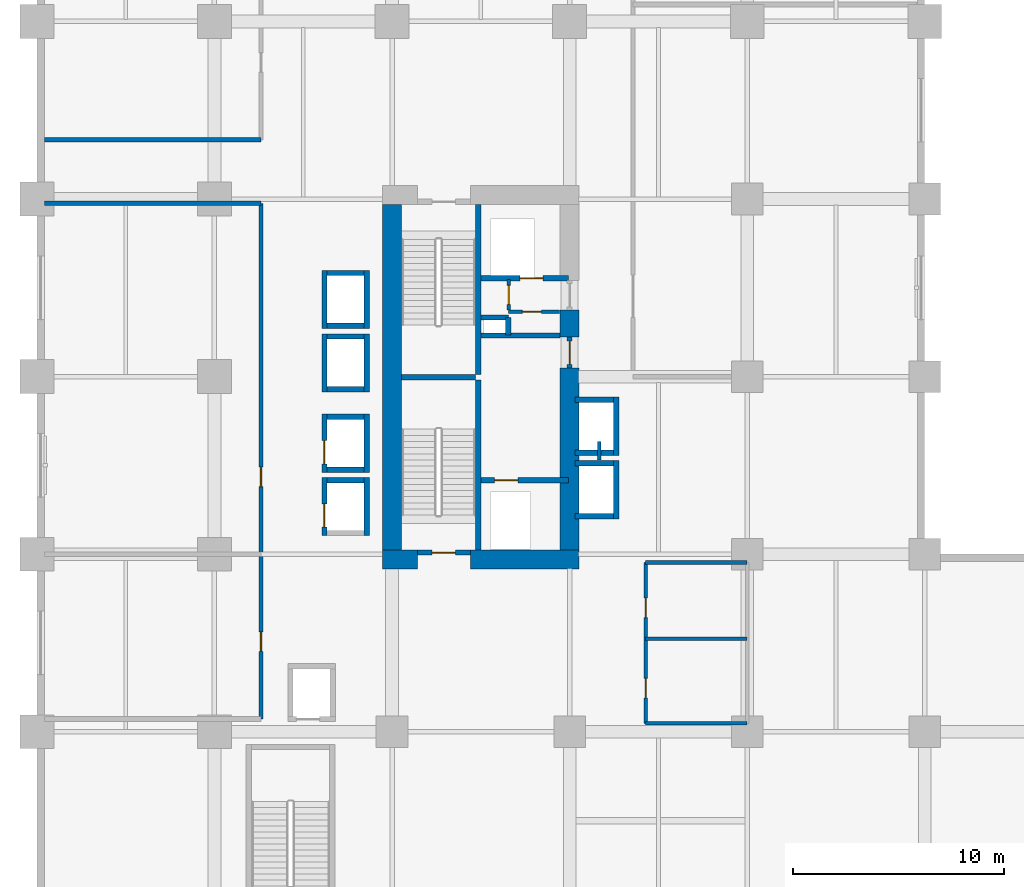
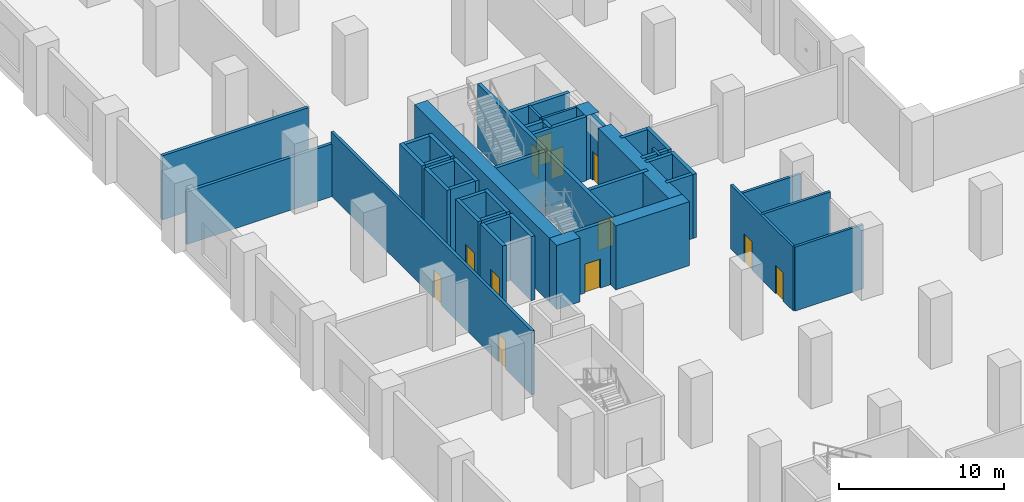
# One storey, part 12 of 23: 46 walls, 12 doors, 12 openings.
"""IFC4 building model written with IfcOpenShell, lengths in metres."""

from ifc_helpers import new_model, si_unit, direction, frame, frame_2d, origin, place, context, subcontext, project, spatial, rectangle, extrude, material, layer, layer_set, type_object, element, fill, save


model = new_model("IFC4")

# Units and contexts
model_context = context("Model", 3, precision=1e-05, world=origin(), true_north=direction((0.0, 1.0)))
body_context = subcontext(model_context, "Body", "Model", "MODEL_VIEW")
ifc_project = project(units=[si_unit("LENGTHUNIT", "METRE"), si_unit("AREAUNIT", "SQUARE_METRE"), si_unit("VOLUMEUNIT", "CUBIC_METRE"), si_unit("PLANEANGLEUNIT", "RADIAN"), si_unit("MASSUNIT", "GRAM", prefix="KILO")], contexts=[model_context])

# Site, building, storey
site_placement = place(None, origin())
site = spatial("IfcSite", under=ifc_project, at=site_placement, CompositionType="ELEMENT")
building_placement = place(site_placement, origin())
building = spatial("IfcBuilding", under=site, at=building_placement, Name="Koriwani Terraces Tower", CompositionType="ELEMENT")
storey_placement = place(building_placement, frame((0.0, 0.0, 20.800048828125)))
storey = spatial("IfcBuildingStorey", under=building, at=storey_placement, Name="L04", CompositionType="ELEMENT", Elevation=20.800048828125)

# Walls
ifc_material_1 = material(Name="Concrete C60/75", Category="concrete")
ifc_layer_1 = layer(ifc_material_1, 0.89990234375, Name="Concrete C60/75")
ifc_layer_set_1 = layer_set([ifc_layer_1], Name="Concrete C60/75")
wall_type_1 = type_object("IfcWallType", Name="WALL_CORE_RC_900", PredefinedType="SHEAR", material=ifc_layer_set_1)
wall_1_placement = place(storey_placement, frame((16.35009765625, 41.75, 0.0), z_axis=(0.0, 0.0, 1.0), x_axis=(1.0, 0.0, 0.0)))
element("IfcWall", 1, at=wall_1_placement, inside=storey, type_object=wall_type_1, Name="L04 West Split Core Shear Wall S1", PredefinedType="SHEAR", context=body_context, shape_type="SweptSolid", body=[
    extrude(rectangle(XDim=1.64990234375, YDim=0.89990234375, at=frame_2d((0.824951171875, 0.0))), origin(), (0.0, 0.0, 1.0), 4.75),
])
wall_2_placement = place(storey_placement, frame((20.5, 41.75, 0.0), z_axis=(0.0, 0.0, 1.0), x_axis=(1.0, 0.0, 0.0)))
element("IfcWall", 2, at=wall_2_placement, inside=storey, type_object=wall_type_1, Name="L04 West Split Core Shear Wall S2", PredefinedType="SHEAR", context=body_context, shape_type="SweptSolid", body=[
    extrude(rectangle(XDim=5.14990234375, YDim=0.89990234375, at=frame_2d((2.574951171875, 0.0))), origin(), (0.0, 0.0, 1.0), 4.75),
])
wall_3_placement = place(storey_placement, frame((16.800048828125, 42.199951171875, 0.0), z_axis=(0.0, 0.0, 1.0), x_axis=(0.0, 1.0, 0.0)))
element("IfcWall", 3, at=wall_3_placement, inside=storey, type_object=wall_type_1, Name="L04 West Split Core Shear Wall W1", PredefinedType="SHEAR", context=body_context, shape_type="SweptSolid", body=[
    extrude(rectangle(XDim=16.35009765625, YDim=0.89990234375, at=frame_2d((8.175048828125, 0.0))), origin(), (0.0, 0.0, 1.0), 4.75),
])
wall_4_placement = place(storey_placement, frame((25.199951171875, 42.199951171875, 0.0), z_axis=(0.0, 0.0, 1.0), x_axis=(0.0, 1.0, 0.0)))
element("IfcWall", 4, at=wall_4_placement, inside=storey, type_object=wall_type_1, Name="L04 West Split Core Shear Wall E1", PredefinedType="SHEAR", context=body_context, shape_type="SweptSolid", body=[
    extrude(rectangle(XDim=8.60009765625, YDim=0.89990234375, at=frame_2d((4.300048828125, 0.0))), origin(), (0.0, 0.0, 1.0), 4.75),
])
wall_5_placement = place(storey_placement, frame((25.199951171875, 52.280029296875, 0.0), z_axis=(0.0, 0.0, 1.0), x_axis=(0.0, 1.0, 0.0)))
element("IfcWall", 5, at=wall_5_placement, inside=storey, type_object=wall_type_1, Name="L04 West Split Core Shear Wall E2", PredefinedType="SHEAR", context=body_context, shape_type="SweptSolid", body=[
    extrude(rectangle(XDim=1.27001953125, YDim=0.89990234375, at=frame_2d((0.635009765625, 0.0))), origin(), (0.0, 0.0, 1.0), 4.75),
])

# Wall, openings, doors
ifc_material_2 = material(Name="Autoclaved Cellular Concrete Blockwork", Category="masonry")
ifc_layer_2 = layer(ifc_material_2, 0.199951171875, Name="Autoclaved Cellular Concrete Blockwork")
ifc_layer_set_2 = layer_set([ifc_layer_2], Name="Autoclaved Cellular Concrete Blockwork")
wall_type_2 = type_object("IfcWallType", Name="WALL_CORRIDOR_200", PredefinedType="PARTITIONING", material=ifc_layer_set_2)
wall_6_placement = place(storey_placement, frame((10.60009765625, 34.199951171875, 0.0), z_axis=(0.0, 0.0, 1.0), x_axis=(0.0, 1.0, 0.0)))
wall_6 = element("IfcWall", 6, at=wall_6_placement, inside=storey, type_object=wall_type_2, Name="L04 Interior Wall WL04-W-0", PredefinedType="PARTITIONING", context=body_context, shape_type="SweptSolid", body=[
    extrude(rectangle(XDim=24.400146484375, YDim=0.199951171875, at=frame_2d((12.2001953125, 0.0))), origin(), (0.0, 0.0, 1.0), 4.75),
])
opening_1_placement = place(wall_6_placement, frame((3.199951171875, 0.0, 0.0)))
opening_1 = element("IfcOpeningElement", 7, at=opening_1_placement, cuts=wall_6, Name="Opening D-06", PredefinedType="OPENING", context=body_context, shape_type="SweptSolid", body=[
    extrude(rectangle(XDim=0.919921875, YDim=2.10009765625, at=frame_2d((0.4599609375, 1.050048828125))), frame((0.0, 0.10986328125, 0.0), z_axis=(0.0, -1.0, 0.0), x_axis=(1.0, 0.0, 0.0)), (0.0, 0.0, 1.0), 0.219970703125),
])
opening_2_placement = place(wall_6_placement, frame((11.0, 0.0, 0.0)))
opening_2 = element("IfcOpeningElement", 8, at=opening_2_placement, cuts=wall_6, Name="Opening D-06", PredefinedType="OPENING", context=body_context, shape_type="SweptSolid", body=[
    extrude(rectangle(XDim=0.919921875, YDim=2.10009765625, at=frame_2d((0.4599609375, 1.050048828125))), frame((0.0, 0.10986328125, 0.0), z_axis=(0.0, -1.0, 0.0), x_axis=(1.0, 0.0, 0.0)), (0.0, 0.0, 1.0), 0.219970703125),
])
ifc_material_3 = material(Name="Architectural Oak Fire Door", Category="wood")
door_type_1 = type_object("IfcDoorType", Name="DOOR_ROOM_INT_920X2100", OperationType="NOTDEFINED", PredefinedType="DOOR", material=ifc_material_3)
door_1_placement = place(opening_1_placement, origin())
door_1 = element("IfcDoor", 9, at=door_1_placement, inside=storey, type_object=door_type_1, Name="L04 Executive Boardroom Suite Door", OperationType="SINGLE_SWING_RIGHT", OverallHeight=2.10009765625, OverallWidth=0.919921875, PredefinedType="DOOR", context=body_context, shape_type="SweptSolid", body=[
    extrude(rectangle(XDim=0.919921875, YDim=2.10009765625, at=frame_2d((0.4599609375, 1.050048828125))), frame((0.0, 0.02490234375, 0.0), z_axis=(0.0, -1.0, 0.0), x_axis=(1.0, 0.0, 0.0)), (0.0, 0.0, 1.0), 0.050048828125),
])
fill(opening_1, door_1)
door_2_placement = place(opening_2_placement, origin())
door_2 = element("IfcDoor", 10, at=door_2_placement, inside=storey, type_object=door_type_1, Name="L04 Business Coworking Lounge Door", OperationType="SINGLE_SWING_LEFT", OverallHeight=2.10009765625, OverallWidth=0.919921875, PredefinedType="DOOR", context=body_context, shape_type="SweptSolid", body=[
    extrude(rectangle(XDim=0.919921875, YDim=2.10009765625, at=frame_2d((0.4599609375, 1.050048828125))), frame((0.0, 0.02490234375, 0.0), z_axis=(0.0, -1.0, 0.0), x_axis=(1.0, 0.0, 0.0)), (0.0, 0.0, 1.0), 0.050048828125),
])
fill(opening_2, door_2)

# Walls
ifc_layer_3 = layer(ifc_material_2, 0.219970703125, Name="Autoclaved Cellular Concrete Blockwork")
ifc_layer_set_3 = layer_set([ifc_layer_3], Name="Autoclaved Cellular Concrete Blockwork")
wall_type_3 = type_object("IfcWallType", Name="WALL_DEMISING_220", PredefinedType="PARTITIONING", material=ifc_layer_set_3)
wall_7_placement = place(storey_placement, frame((0.35009765625, 58.60009765625, 0.0), z_axis=(0.0, 0.0, 1.0), x_axis=(1.0, 0.0, 0.0)))
element("IfcWall", 11, at=wall_7_placement, inside=storey, type_object=wall_type_3, Name="L04 Interior Wall WL04-WN-1", PredefinedType="PARTITIONING", context=body_context, shape_type="SweptSolid", body=[
    extrude(rectangle(XDim=10.25, YDim=0.219970703125, at=frame_2d((5.125, 0.0))), origin(), (0.0, 0.0, 1.0), 3.89990234375),
])
wall_8_placement = place(storey_placement, frame((0.35009765625, 61.60009765625, 0.0), z_axis=(0.0, 0.0, 1.0), x_axis=(1.0, 0.0, 0.0)))
element("IfcWall", 12, at=wall_8_placement, inside=storey, type_object=wall_type_3, Name="L04 Interior Wall WL04-WS-2", PredefinedType="PARTITIONING", context=body_context, shape_type="SweptSolid", body=[
    extrude(rectangle(XDim=10.25, YDim=0.219970703125, at=frame_2d((5.125, 0.0))), origin(), (0.0, 0.0, 1.0), 4.75),
])

# Wall, openings, doors
ifc_material_4 = material(Name="Fire-Rated Acoustic Gypsum Partition", Category="masonry")
ifc_layer_4 = layer(ifc_material_4, 0.179931640625, Name="Fire-Rated Acoustic Gypsum Partition")
ifc_layer_set_4 = layer_set([ifc_layer_4], Name="Fire-Rated Acoustic Gypsum Partition")
wall_type_4 = type_object("IfcWallType", Name="WALL_PLUMBING_180", PredefinedType="PLUMBINGWALL", material=ifc_layer_set_4)
wall_9_placement = place(storey_placement, frame((28.800048828125, 34.0, 0.0), z_axis=(0.0, 0.0, 1.0), x_axis=(0.0, 1.0, 0.0)))
wall_9 = element("IfcWall", 13, at=wall_9_placement, inside=storey, type_object=wall_type_4, Name="L04 Interior Wall WPOD-WC-L04", PredefinedType="PLUMBINGWALL", context=body_context, shape_type="SweptSolid", body=[
    extrude(rectangle(XDim=7.60009765625, YDim=0.179931640625, at=frame_2d((3.800048828125, 0.0))), origin(), (0.0, 0.0, 1.0), 4.75),
])
opening_3_placement = place(wall_9_placement, frame((1.199951171875, 0.0, 0.0)))
opening_3 = element("IfcOpeningElement", 14, at=opening_3_placement, cuts=wall_9, Name="Opening D-06", PredefinedType="OPENING", context=body_context, shape_type="SweptSolid", body=[
    extrude(rectangle(XDim=0.919921875, YDim=2.10009765625, at=frame_2d((0.4599609375, 1.050048828125))), frame((0.0, 0.10009765625, 0.0), z_axis=(0.0, -1.0, 0.0), x_axis=(1.0, 0.0, 0.0)), (0.0, 0.0, 1.0), 0.199951171875),
])
opening_4_placement = place(wall_9_placement, frame((5.0, 0.0, 0.0)))
opening_4 = element("IfcOpeningElement", 15, at=opening_4_placement, cuts=wall_9, Name="Opening D-06", PredefinedType="OPENING", context=body_context, shape_type="SweptSolid", body=[
    extrude(rectangle(XDim=0.919921875, YDim=2.10009765625, at=frame_2d((0.4599609375, 1.050048828125))), frame((0.0, 0.10009765625, 0.0), z_axis=(0.0, -1.0, 0.0), x_axis=(1.0, 0.0, 0.0)), (0.0, 0.0, 1.0), 0.199951171875),
])
door_3_placement = place(opening_3_placement, origin())
door_3 = element("IfcDoor", 16, at=door_3_placement, inside=storey, type_object=door_type_1, Name="L04 Public Washroom WC Door", OperationType="SINGLE_SWING_RIGHT", OverallHeight=2.10009765625, OverallWidth=0.919921875, PredefinedType="DOOR", context=body_context, shape_type="SweptSolid", body=[
    extrude(rectangle(XDim=0.919921875, YDim=2.10009765625, at=frame_2d((0.4599609375, 1.050048828125))), frame((0.0, 0.02490234375, 0.0), z_axis=(0.0, -1.0, 0.0), x_axis=(1.0, 0.0, 0.0)), (0.0, 0.0, 1.0), 0.050048828125),
])
fill(opening_3, door_3)
door_4_placement = place(opening_4_placement, origin())
door_4 = element("IfcDoor", 17, at=door_4_placement, inside=storey, type_object=door_type_1, Name="L04 Accessible WC Door", OperationType="SINGLE_SWING_LEFT", OverallHeight=2.10009765625, OverallWidth=0.919921875, PredefinedType="DOOR", context=body_context, shape_type="SweptSolid", body=[
    extrude(rectangle(XDim=0.919921875, YDim=2.10009765625, at=frame_2d((0.4599609375, 1.050048828125))), frame((0.0, 0.02490234375, 0.0), z_axis=(0.0, -1.0, 0.0), x_axis=(1.0, 0.0, 0.0)), (0.0, 0.0, 1.0), 0.050048828125),
])
fill(opening_4, door_4)

# Walls
for number, where, z_axis, x_axis, name in (
    (18, (28.800048828125, 38.0, 0.0), (0.0, 0.0, 1.0), (1.0, 0.0, 0.0), "L04 Interior Wall WPOD-WCM-L04"),
    (19, (28.800048828125, 34.0, 0.0), (0.0, 0.0, 1.0), (1.0, 0.0, 0.0), "L04 Interior Wall WPOD-WCS-L04"),
):
    element("IfcWall", number, at=place(storey_placement, frame(where, z_axis=z_axis, x_axis=x_axis)), inside=storey, type_object=wall_type_4, Name=name, PredefinedType="PLUMBINGWALL", context=body_context, shape_type="SweptSolid", body=[
        extrude(rectangle(XDim=4.800048828125, YDim=0.179931640625, at=frame_2d((2.39990234375, 0.0))), origin(), (0.0, 0.0, 1.0), 4.75),
    ])
wall_10_placement = place(storey_placement, frame((28.800048828125, 41.60009765625, 0.0), z_axis=(0.0, 0.0, 1.0), x_axis=(1.0, 0.0, 0.0)))
element("IfcWall", 20, at=wall_10_placement, inside=storey, type_object=wall_type_4, Name="L04 Interior Wall WPOD-WCN-L04", PredefinedType="PLUMBINGWALL", context=body_context, shape_type="SweptSolid", body=[
    extrude(rectangle(XDim=4.800048828125, YDim=0.179931640625, at=frame_2d((2.39990234375, 0.0))), origin(), (0.0, 0.0, 1.0), 3.89990234375),
])
ifc_material_5 = material(Name="Concrete C40/50", Category="concrete")
ifc_layer_5 = layer(ifc_material_5, 0.25, Name="Concrete C40/50")
ifc_layer_set_5 = layer_set([ifc_layer_5], Name="Concrete C40/50")
wall_type_5 = type_object("IfcWallType", Name="WALL_SHAFT_RATED_250", PredefinedType="SOLIDWALL", material=ifc_layer_set_5)
for number, where, z_axis, x_axis, name in (
    (21, (20.875, 42.199951171875, 0.0), (0.0, 0.0, 1.0), (0.0, 1.0, 0.0), "L04 West Split Core Web Wall MID1"),
    (22, (20.875, 50.5, 0.0), (0.0, 0.0, 1.0), (0.0, 1.0, 0.0), "L04 West Split Core Web Wall MID2"),
):
    element("IfcWall", number, at=place(storey_placement, frame(where, z_axis=z_axis, x_axis=x_axis)), inside=storey, type_object=wall_type_5, Name=name, PredefinedType="SOLIDWALL", context=body_context, shape_type="SweptSolid", body=[
        extrude(rectangle(XDim=8.050048828125, YDim=0.25, at=frame_2d((4.02490234375, 0.0))), origin(), (0.0, 0.0, 1.0), 4.75),
    ])
wall_11_placement = place(storey_placement, frame((17.25, 50.375, 0.0), z_axis=(0.0, 0.0, 1.0), x_axis=(1.0, 0.0, 0.0)))
element("IfcWall", 23, at=wall_11_placement, inside=storey, type_object=wall_type_5, Name="L04 West Split Core Stair Dividing Wall", PredefinedType="SOLIDWALL", context=body_context, shape_type="SweptSolid", body=[
    extrude(rectangle(XDim=3.5, YDim=0.25, at=frame_2d((1.75, 0.0))), origin(), (0.0, 0.0, 1.0), 4.75),
])

# Wall, opening, door
wall_12_placement = place(storey_placement, frame((18.0, 42.074951171875, 0.0), z_axis=(0.0, 0.0, 1.0), x_axis=(1.0, 0.0, 0.0)))
wall_12 = element("IfcWall", 24, at=wall_12_placement, inside=storey, type_object=wall_type_5, Name="L04 Interior Wall WIN-CW-L04-STS", PredefinedType="SOLIDWALL", context=body_context, shape_type="SweptSolid", body=[
    extrude(rectangle(XDim=2.5, YDim=0.25, at=frame_2d((1.25, 0.0))), origin(), (0.0, 0.0, 1.0), 4.75),
])
opening_5_placement = place(wall_12_placement, frame((0.699951171875, 0.0, 0.0)))
opening_5 = element("IfcOpeningElement", 25, at=opening_5_placement, cuts=wall_12, Name="Opening D-03", PredefinedType="OPENING", context=body_context, shape_type="SweptSolid", body=[
    extrude(rectangle(XDim=1.10009765625, YDim=2.14990234375, at=frame_2d((0.550048828125, 1.074951171875))), frame((0.0, 0.135009765625, 0.0), z_axis=(0.0, -1.0, 0.0), x_axis=(1.0, 0.0, 0.0)), (0.0, 0.0, 1.0), 0.27001953125),
])
ifc_material_6 = material(Name="Steel ASTM A572 Grade 50", Category="steel")
door_type_2 = type_object("IfcDoorType", Name="DOOR_STAIR_FIRE_1100X2150", OperationType="NOTDEFINED", PredefinedType="DOOR", material=ifc_material_6)
door_5_placement = place(opening_5_placement, origin())
door_5 = element("IfcDoor", 26, at=door_5_placement, inside=storey, type_object=door_type_2, Name="L04 Exit Stair ST-W1 Door", OperationType="SINGLE_SWING_RIGHT", OverallHeight=2.14990234375, OverallWidth=1.10009765625, PredefinedType="DOOR", context=body_context, shape_type="SweptSolid", body=[
    extrude(rectangle(XDim=1.10009765625, YDim=2.14990234375, at=frame_2d((0.550048828125, 1.074951171875))), frame((0.0, 0.02490234375, 0.0), z_axis=(0.0, -1.0, 0.0), x_axis=(1.0, 0.0, 0.0)), (0.0, 0.0, 1.0), 0.050048828125),
])
fill(opening_5, door_5)

wall_13_placement = place(storey_placement, frame((21.0, 45.5, 0.0), z_axis=(0.0, 0.0, 1.0), x_axis=(1.0, 0.0, 0.0)))
wall_13 = element("IfcWall", 27, at=wall_13_placement, inside=storey, type_object=wall_type_5, Name="L04 Interior Wall WIN-CW-L04-FE", PredefinedType="SOLIDWALL", context=body_context, shape_type="SweptSolid", body=[
    extrude(rectangle(XDim=4.14990234375, YDim=0.25, at=frame_2d((2.074951171875, 0.0))), origin(), (0.0, 0.0, 1.0), 4.75),
])
opening_6_placement = place(wall_13_placement, frame((0.64990234375, 0.0, 0.0)))
opening_6 = element("IfcOpeningElement", 28, at=opening_6_placement, cuts=wall_13, Name="Opening LD-01", PredefinedType="OPENING", context=body_context, shape_type="SweptSolid", body=[
    extrude(rectangle(XDim=1.10009765625, YDim=2.14990234375, at=frame_2d((0.550048828125, 1.074951171875))), frame((0.0, 0.135009765625, 0.0), z_axis=(0.0, -1.0, 0.0), x_axis=(1.0, 0.0, 0.0)), (0.0, 0.0, 1.0), 0.27001953125),
])
door_type_3 = type_object("IfcDoorType", Name="DOOR_LIFT_LANDING_1100X2200", OperationType="NOTDEFINED", PredefinedType="DOOR", material=ifc_material_6)
door_6_placement = place(opening_6_placement, origin())
door_6 = element("IfcDoor", 29, at=door_6_placement, inside=storey, type_object=door_type_3, Name="L04 Firefighting Lift FE-01 Landing Door", OperationType="SLIDING_TO_LEFT", OverallHeight=2.14990234375, OverallWidth=1.10009765625, PredefinedType="DOOR", context=body_context, shape_type="SweptSolid", body=[
    extrude(rectangle(XDim=1.10009765625, YDim=2.14990234375, at=frame_2d((0.550048828125, 1.074951171875))), frame((0.0, 0.02490234375, 0.0), z_axis=(0.0, -1.0, 0.0), x_axis=(1.0, 0.0, 0.0)), (0.0, 0.0, 1.0), 0.050048828125),
])
fill(opening_6, door_6)

wall_14_placement = place(storey_placement, frame((25.199951171875, 50.800048828125, 0.0), z_axis=(0.0, 0.0, 1.0), x_axis=(0.0, 1.0, 0.0)))
wall_14 = element("IfcWall", 30, at=wall_14_placement, inside=storey, type_object=wall_type_5, Name="L04 Interior Wall WIN-CW-L04-EP", PredefinedType="SOLIDWALL", context=body_context, shape_type="SweptSolid", body=[
    extrude(rectangle(XDim=1.47998046875, YDim=0.25, at=frame_2d((0.739990234375, 0.0))), origin(), (0.0, 0.0, 1.0), 4.75),
])
opening_7_placement = place(wall_14_placement, frame((0.179931640625, 0.0, 0.0)))
opening_7 = element("IfcOpeningElement", 31, at=opening_7_placement, cuts=wall_14, Name="Opening D-03", PredefinedType="OPENING", context=body_context, shape_type="SweptSolid", body=[
    extrude(rectangle(XDim=1.10009765625, YDim=2.14990234375, at=frame_2d((0.550048828125, 1.074951171875))), frame((0.0, 0.135009765625, 0.0), z_axis=(0.0, -1.0, 0.0), x_axis=(1.0, 0.0, 0.0)), (0.0, 0.0, 1.0), 0.27001953125),
])
door_7_placement = place(opening_7_placement, origin())
door_7 = element("IfcDoor", 32, at=door_7_placement, inside=storey, type_object=door_type_2, Name="L04 West Firefighting Lobby Door", OperationType="SINGLE_SWING_RIGHT", OverallHeight=2.14990234375, OverallWidth=1.10009765625, PredefinedType="DOOR", context=body_context, shape_type="SweptSolid", body=[
    extrude(rectangle(XDim=1.10009765625, YDim=2.14990234375, at=frame_2d((0.550048828125, 1.074951171875))), frame((0.0, 0.02490234375, 0.0), z_axis=(0.0, -1.0, 0.0), x_axis=(1.0, 0.0, 0.0)), (0.0, 0.0, 1.0), 0.050048828125),
])
fill(opening_7, door_7)

# Wall
wall_15_placement = place(storey_placement, frame((21.0, 52.340087890625, 0.0), z_axis=(0.0, 0.0, 1.0), x_axis=(1.0, 0.0, 0.0)))
element("IfcWall", 33, at=wall_15_placement, inside=storey, type_object=wall_type_5, Name="L04 Interior Wall WIN-CW-L04-FFN", PredefinedType="SOLIDWALL", context=body_context, shape_type="SweptSolid", body=[
    extrude(rectangle(XDim=3.75, YDim=0.25, at=frame_2d((1.875, 0.0))), origin(), (0.0, 0.0, 1.0), 4.75),
])

# Wall, opening, door
wall_16_placement = place(storey_placement, frame((21.0, 55.050048828125, 0.0), z_axis=(0.0, 0.0, 1.0), x_axis=(1.0, 0.0, 0.0)))
wall_16 = element("IfcWall", 34, at=wall_16_placement, inside=storey, type_object=wall_type_5, Name="L04 Interior Wall WIN-CW-L04-SE", PredefinedType="SOLIDWALL", context=body_context, shape_type="SweptSolid", body=[
    extrude(rectangle(XDim=4.14990234375, YDim=0.25, at=frame_2d((2.074951171875, 0.0))), origin(), (0.0, 0.0, 1.0), 4.75),
])
opening_8_placement = place(wall_16_placement, frame((1.85009765625, 0.0, 0.0)))
opening_8 = element("IfcOpeningElement", 35, at=opening_8_placement, cuts=wall_16, Name="Opening LD-01", PredefinedType="OPENING", context=body_context, shape_type="SweptSolid", body=[
    extrude(rectangle(XDim=1.10009765625, YDim=2.14990234375, at=frame_2d((0.550048828125, 1.074951171875))), frame((0.0, 0.135009765625, 0.0), z_axis=(0.0, -1.0, 0.0), x_axis=(1.0, 0.0, 0.0)), (0.0, 0.0, 1.0), 0.27001953125),
])
door_8_placement = place(opening_8_placement, origin())
door_8 = element("IfcDoor", 36, at=door_8_placement, inside=storey, type_object=door_type_3, Name="L04 Goods Lift SE-01 Landing Door", OperationType="SLIDING_TO_LEFT", OverallHeight=2.14990234375, OverallWidth=1.10009765625, PredefinedType="DOOR", context=body_context, shape_type="SweptSolid", body=[
    extrude(rectangle(XDim=1.10009765625, YDim=2.14990234375, at=frame_2d((0.550048828125, 1.074951171875))), frame((0.0, 0.02490234375, 0.0), z_axis=(0.0, -1.0, 0.0), x_axis=(1.0, 0.0, 0.0)), (0.0, 0.0, 1.0), 0.050048828125),
])
fill(opening_8, door_8)

# Walls
wall_17_placement = place(storey_placement, frame((21.0, 53.199951171875, 0.0), z_axis=(0.0, 0.0, 1.0), x_axis=(1.0, 0.0, 0.0)))
element("IfcWall", 37, at=wall_17_placement, inside=storey, type_object=wall_type_5, Name="L04 Interior Wall WIN-CW-L04-RS1", PredefinedType="SOLIDWALL", context=body_context, shape_type="SweptSolid", body=[
    extrude(rectangle(XDim=1.300048828125, YDim=0.25, at=frame_2d((0.64990234375, 0.0))), origin(), (0.0, 0.0, 1.0), 4.75),
])
wall_18_placement = place(storey_placement, frame((22.300048828125, 52.360107421875, 0.0), z_axis=(0.0, 0.0, 1.0), x_axis=(0.0, 1.0, 0.0)))
element("IfcWall", 38, at=wall_18_placement, inside=storey, type_object=wall_type_5, Name="L04 Interior Wall WIN-CW-L04-RS2", PredefinedType="SOLIDWALL", context=body_context, shape_type="SweptSolid", body=[
    extrude(rectangle(XDim=0.83984375, YDim=0.25, at=frame_2d((0.419921875, 0.0))), origin(), (0.0, 0.0, 1.0), 4.75),
])

# Wall, opening, door
wall_19_placement = place(storey_placement, frame((13.60009765625, 42.875, 0.0), z_axis=(0.0, 0.0, 1.0), x_axis=(0.0, 1.0, 0.0)))
wall_19 = element("IfcWall", 39, at=wall_19_placement, inside=storey, type_object=wall_type_5, Name="L04 Interior Wall WIN-LF-PE-L1-L04-F", PredefinedType="SOLIDWALL", context=body_context, shape_type="SweptSolid", body=[
    extrude(rectangle(XDim=2.75, YDim=0.25, at=frame_2d((1.375, 0.0))), origin(), (0.0, 0.0, 1.0), 4.75),
])
opening_9_placement = place(wall_19_placement, frame((0.39990234375, 0.0, 0.0)))
opening_9 = element("IfcOpeningElement", 40, at=opening_9_placement, cuts=wall_19, Name="Opening LD-01", PredefinedType="OPENING", context=body_context, shape_type="SweptSolid", body=[
    extrude(rectangle(XDim=1.10009765625, YDim=2.14990234375, at=frame_2d((0.550048828125, 1.074951171875))), frame((0.0, 0.135009765625, 0.0), z_axis=(0.0, -1.0, 0.0), x_axis=(1.0, 0.0, 0.0)), (0.0, 0.0, 1.0), 0.27001953125),
])
door_9_placement = place(opening_9_placement, origin())
door_9 = element("IfcDoor", 41, at=door_9_placement, inside=storey, type_object=door_type_3, Name="L04 Passenger Lift PE-L1 Landing Door", OperationType="SLIDING_TO_LEFT", OverallHeight=2.14990234375, OverallWidth=1.10009765625, PredefinedType="DOOR", context=body_context, shape_type="SweptSolid", body=[
    extrude(rectangle(XDim=1.10009765625, YDim=2.14990234375, at=frame_2d((0.550048828125, 1.074951171875))), frame((0.0, 0.02490234375, 0.0), z_axis=(0.0, -1.0, 0.0), x_axis=(1.0, 0.0, 0.0)), (0.0, 0.0, 1.0), 0.050048828125),
])
fill(opening_9, door_9)

# Walls
wall_20_placement = place(storey_placement, frame((15.60009765625, 42.875, 0.0), z_axis=(0.0, 0.0, 1.0), x_axis=(0.0, 1.0, 0.0)))
element("IfcWall", 42, at=wall_20_placement, inside=storey, type_object=wall_type_5, Name="L04 Interior Wall WIN-LF-PE-L1-L04-B", PredefinedType="SOLIDWALL", context=body_context, shape_type="SweptSolid", body=[
    extrude(rectangle(XDim=2.75, YDim=0.25, at=frame_2d((1.375, 0.0))), origin(), (0.0, 0.0, 1.0), 4.75),
])
wall_21_placement = place(storey_placement, frame((13.72509765625, 45.5, 0.0), z_axis=(0.0, 0.0, 1.0), x_axis=(1.0, 0.0, 0.0)))
element("IfcWall", 43, at=wall_21_placement, inside=storey, type_object=wall_type_5, Name="L04 Interior Wall WIN-LF-PE-L1-L04-N", PredefinedType="SOLIDWALL", context=body_context, shape_type="SweptSolid", body=[
    extrude(rectangle(XDim=1.75, YDim=0.25, at=frame_2d((0.875, 0.0))), origin(), (0.0, 0.0, 1.0), 4.75),
])

# Wall, opening, door
wall_22_placement = place(storey_placement, frame((13.60009765625, 45.875, 0.0), z_axis=(0.0, 0.0, 1.0), x_axis=(0.0, 1.0, 0.0)))
wall_22 = element("IfcWall", 44, at=wall_22_placement, inside=storey, type_object=wall_type_5, Name="L04 Interior Wall WIN-LF-PE-L2-L04-F", PredefinedType="SOLIDWALL", context=body_context, shape_type="SweptSolid", body=[
    extrude(rectangle(XDim=2.75, YDim=0.25, at=frame_2d((1.375, 0.0))), origin(), (0.0, 0.0, 1.0), 4.75),
])
opening_10_placement = place(wall_22_placement, frame((0.39990234375, 0.0, 0.0)))
opening_10 = element("IfcOpeningElement", 45, at=opening_10_placement, cuts=wall_22, Name="Opening LD-01", PredefinedType="OPENING", context=body_context, shape_type="SweptSolid", body=[
    extrude(rectangle(XDim=1.10009765625, YDim=2.14990234375, at=frame_2d((0.550048828125, 1.074951171875))), frame((0.0, 0.135009765625, 0.0), z_axis=(0.0, -1.0, 0.0), x_axis=(1.0, 0.0, 0.0)), (0.0, 0.0, 1.0), 0.27001953125),
])
door_10_placement = place(opening_10_placement, origin())
door_10 = element("IfcDoor", 46, at=door_10_placement, inside=storey, type_object=door_type_3, Name="L04 Passenger Lift PE-L2 Landing Door", OperationType="SLIDING_TO_LEFT", OverallHeight=2.14990234375, OverallWidth=1.10009765625, PredefinedType="DOOR", context=body_context, shape_type="SweptSolid", body=[
    extrude(rectangle(XDim=1.10009765625, YDim=2.14990234375, at=frame_2d((0.550048828125, 1.074951171875))), frame((0.0, 0.02490234375, 0.0), z_axis=(0.0, -1.0, 0.0), x_axis=(1.0, 0.0, 0.0)), (0.0, 0.0, 1.0), 0.050048828125),
])
fill(opening_10, door_10)

# Walls
wall_23_placement = place(storey_placement, frame((15.60009765625, 45.875, 0.0), z_axis=(0.0, 0.0, 1.0), x_axis=(0.0, 1.0, 0.0)))
element("IfcWall", 47, at=wall_23_placement, inside=storey, type_object=wall_type_5, Name="L04 Interior Wall WIN-LF-PE-L2-L04-B", PredefinedType="SOLIDWALL", context=body_context, shape_type="SweptSolid", body=[
    extrude(rectangle(XDim=2.75, YDim=0.25, at=frame_2d((1.375, 0.0))), origin(), (0.0, 0.0, 1.0), 4.75),
])
for number, where, z_axis, x_axis, name in (
    (48, (13.72509765625, 46.0, 0.0), (0.0, 0.0, 1.0), (1.0, 0.0, 0.0), "L04 Interior Wall WIN-LF-PE-L2-L04-S"),
    (49, (13.72509765625, 48.5, 0.0), (0.0, 0.0, 1.0), (1.0, 0.0, 0.0), "L04 Interior Wall WIN-LF-PE-L2-L04-N"),
):
    element("IfcWall", number, at=place(storey_placement, frame(where, z_axis=z_axis, x_axis=x_axis)), inside=storey, type_object=wall_type_5, Name=name, PredefinedType="SOLIDWALL", context=body_context, shape_type="SweptSolid", body=[
        extrude(rectangle(XDim=1.75, YDim=0.25, at=frame_2d((0.875, 0.0))), origin(), (0.0, 0.0, 1.0), 4.75),
    ])
for number, where, z_axis, x_axis, name in (
    (50, (13.60009765625, 49.675048828125, 0.0), (0.0, 0.0, 1.0), (0.0, 1.0, 0.0), "L04 Interior Wall WIN-LF-PE-M1-L04-F"),
    (51, (15.60009765625, 49.675048828125, 0.0), (0.0, 0.0, 1.0), (0.0, 1.0, 0.0), "L04 Interior Wall WIN-LF-PE-M1-L04-B"),
):
    element("IfcWall", number, at=place(storey_placement, frame(where, z_axis=z_axis, x_axis=x_axis)), inside=storey, type_object=wall_type_5, Name=name, PredefinedType="SOLIDWALL", context=body_context, shape_type="SweptSolid", body=[
        extrude(rectangle(XDim=2.75, YDim=0.25, at=frame_2d((1.375, 0.0))), origin(), (0.0, 0.0, 1.0), 4.75),
    ])
for number, where, z_axis, x_axis, name in (
    (52, (13.72509765625, 49.800048828125, 0.0), (0.0, 0.0, 1.0), (1.0, 0.0, 0.0), "L04 Interior Wall WIN-LF-PE-M1-L04-S"),
    (53, (13.72509765625, 52.300048828125, 0.0), (0.0, 0.0, 1.0), (1.0, 0.0, 0.0), "L04 Interior Wall WIN-LF-PE-M1-L04-N"),
):
    element("IfcWall", number, at=place(storey_placement, frame(where, z_axis=z_axis, x_axis=x_axis)), inside=storey, type_object=wall_type_5, Name=name, PredefinedType="SOLIDWALL", context=body_context, shape_type="SweptSolid", body=[
        extrude(rectangle(XDim=1.75, YDim=0.25, at=frame_2d((0.875, 0.0))), origin(), (0.0, 0.0, 1.0), 4.75),
    ])
for number, where, z_axis, x_axis, name in (
    (54, (13.60009765625, 52.675048828125, 0.0), (0.0, 0.0, 1.0), (0.0, 1.0, 0.0), "L04 Interior Wall WIN-LF-PE-M2-L04-F"),
    (55, (15.60009765625, 52.675048828125, 0.0), (0.0, 0.0, 1.0), (0.0, 1.0, 0.0), "L04 Interior Wall WIN-LF-PE-M2-L04-B"),
):
    element("IfcWall", number, at=place(storey_placement, frame(where, z_axis=z_axis, x_axis=x_axis)), inside=storey, type_object=wall_type_5, Name=name, PredefinedType="SOLIDWALL", context=body_context, shape_type="SweptSolid", body=[
        extrude(rectangle(XDim=2.75, YDim=0.25, at=frame_2d((1.375, 0.0))), origin(), (0.0, 0.0, 1.0), 4.75),
    ])
for number, where, z_axis, x_axis, name in (
    (56, (13.72509765625, 52.800048828125, 0.0), (0.0, 0.0, 1.0), (1.0, 0.0, 0.0), "L04 Interior Wall WIN-LF-PE-M2-L04-S"),
    (57, (13.72509765625, 55.300048828125, 0.0), (0.0, 0.0, 1.0), (1.0, 0.0, 0.0), "L04 Interior Wall WIN-LF-PE-M2-L04-N"),
):
    element("IfcWall", number, at=place(storey_placement, frame(where, z_axis=z_axis, x_axis=x_axis)), inside=storey, type_object=wall_type_5, Name=name, PredefinedType="SOLIDWALL", context=body_context, shape_type="SweptSolid", body=[
        extrude(rectangle(XDim=1.75, YDim=0.25, at=frame_2d((0.875, 0.0))), origin(), (0.0, 0.0, 1.0), 4.75),
    ])
wall_24_placement = place(storey_placement, frame((27.39990234375, 43.675048828125, 0.0), z_axis=(0.0, 0.0, 1.0), x_axis=(0.0, 1.0, 0.0)))
element("IfcWall", 58, at=wall_24_placement, inside=storey, type_object=wall_type_5, Name="L04 Interior Wall WIN-LF-PE-H1-L04-F", PredefinedType="SOLIDWALL", context=body_context, shape_type="SweptSolid", body=[
    extrude(rectangle(XDim=2.75, YDim=0.25, at=frame_2d((1.375, 0.0))), origin(), (0.0, 0.0, 1.0), 4.75),
])
for number, where, z_axis, x_axis, name in (
    (59, (25.449951171875, 43.800048828125, 0.0), (0.0, 0.0, 1.0), (1.0, 0.0, 0.0), "L04 Interior Wall WIN-LF-PE-H1-L04-S"),
    (60, (25.449951171875, 46.300048828125, 0.0), (0.0, 0.0, 1.0), (1.0, 0.0, 0.0), "L04 Interior Wall WIN-LF-PE-H1-L04-N"),
):
    element("IfcWall", number, at=place(storey_placement, frame(where, z_axis=z_axis, x_axis=x_axis)), inside=storey, type_object=wall_type_5, Name=name, PredefinedType="SOLIDWALL", context=body_context, shape_type="SweptSolid", body=[
        extrude(rectangle(XDim=1.824951171875, YDim=0.25, at=frame_2d((0.91259765625, 0.0))), origin(), (0.0, 0.0, 1.0), 4.75),
    ])
wall_25_placement = place(storey_placement, frame((27.39990234375, 46.675048828125, 0.0), z_axis=(0.0, 0.0, 1.0), x_axis=(0.0, 1.0, 0.0)))
element("IfcWall", 61, at=wall_25_placement, inside=storey, type_object=wall_type_5, Name="L04 Interior Wall WIN-LF-PE-H2-L04-F", PredefinedType="SOLIDWALL", context=body_context, shape_type="SweptSolid", body=[
    extrude(rectangle(XDim=2.75, YDim=0.25, at=frame_2d((1.375, 0.0))), origin(), (0.0, 0.0, 1.0), 4.75),
])
for number, where, z_axis, x_axis, name in (
    (62, (25.449951171875, 46.800048828125, 0.0), (0.0, 0.0, 1.0), (1.0, 0.0, 0.0), "L04 Interior Wall WIN-LF-PE-H2-L04-S"),
    (63, (25.449951171875, 49.300048828125, 0.0), (0.0, 0.0, 1.0), (1.0, 0.0, 0.0), "L04 Interior Wall WIN-LF-PE-H2-L04-N"),
):
    element("IfcWall", number, at=place(storey_placement, frame(where, z_axis=z_axis, x_axis=x_axis)), inside=storey, type_object=wall_type_5, Name=name, PredefinedType="SOLIDWALL", context=body_context, shape_type="SweptSolid", body=[
        extrude(rectangle(XDim=1.824951171875, YDim=0.25, at=frame_2d((0.91259765625, 0.0))), origin(), (0.0, 0.0, 1.0), 4.75),
    ])

# Wall, opening, door
ifc_layer_6 = layer(ifc_material_4, 0.159912109375, Name="Fire-Rated Acoustic Gypsum Partition")
ifc_layer_set_6 = layer_set([ifc_layer_6], Name="Fire-Rated Acoustic Gypsum Partition")
wall_type_6 = type_object("IfcWallType", Name="WALL_SUITE_160", PredefinedType="PARTITIONING", material=ifc_layer_set_6)
wall_26_placement = place(storey_placement, frame((22.320068359375, 53.56005859375, 0.0), z_axis=(0.0, 0.0, 1.0), x_axis=(0.0, 1.0, 0.0)))
wall_26 = element("IfcWall", 64, at=wall_26_placement, inside=storey, type_object=wall_type_6, Name="L04 Interior Wall WIN-CW-L04-SV1A", PredefinedType="PARTITIONING", context=body_context, shape_type="SweptSolid", body=[
    extrude(rectangle(XDim=1.43994140625, YDim=0.159912109375, at=frame_2d((0.719970703125, 0.0))), origin(), (0.0, 0.0, 1.0), 4.75),
])
opening_11_placement = place(wall_26_placement, frame((0.260009765625, 0.0, 0.0)))
opening_11 = element("IfcOpeningElement", 65, at=opening_11_placement, cuts=wall_26, Name="Opening D-07", PredefinedType="OPENING", context=body_context, shape_type="SweptSolid", body=[
    extrude(rectangle(XDim=0.89990234375, YDim=2.10009765625, at=frame_2d((0.449951171875, 1.050048828125))), frame((0.0, 0.08984375, 0.0), z_axis=(0.0, -1.0, 0.0), x_axis=(1.0, 0.0, 0.0)), (0.0, 0.0, 1.0), 0.179931640625),
])
door_type_4 = type_object("IfcDoorType", Name="DOOR_BATH_INT_900X2100", OperationType="NOTDEFINED", PredefinedType="DOOR", material=ifc_material_3)
door_11_placement = place(opening_11_placement, origin())
door_11 = element("IfcDoor", 66, at=door_11_placement, inside=storey, type_object=door_type_4, Name="L04 West Telecom Room Door", OperationType="SINGLE_SWING_RIGHT", OverallHeight=2.10009765625, OverallWidth=0.89990234375, PredefinedType="DOOR", context=body_context, shape_type="SweptSolid", body=[
    extrude(rectangle(XDim=0.89990234375, YDim=2.10009765625, at=frame_2d((0.449951171875, 1.050048828125))), frame((0.0, 0.02490234375, 0.0), z_axis=(0.0, -1.0, 0.0), x_axis=(1.0, 0.0, 0.0)), (0.0, 0.0, 1.0), 0.050048828125),
])
fill(opening_11, door_11)

wall_27_placement = place(storey_placement, frame((22.320068359375, 53.4599609375, 0.0), z_axis=(0.0, 0.0, 1.0), x_axis=(1.0, 0.0, 0.0)))
wall_27 = element("IfcWall", 67, at=wall_27_placement, inside=storey, type_object=wall_type_6, Name="L04 Interior Wall WIN-CW-L04-SV1B", PredefinedType="PARTITIONING", context=body_context, shape_type="SweptSolid", body=[
    extrude(rectangle(XDim=2.39990234375, YDim=0.159912109375, at=frame_2d((1.199951171875, 0.0))), origin(), (0.0, 0.0, 1.0), 4.75),
])
opening_12_placement = place(wall_27_placement, frame((0.64990234375, 0.0, 0.0)))
opening_12 = element("IfcOpeningElement", 68, at=opening_12_placement, cuts=wall_27, Name="Opening D-07", PredefinedType="OPENING", context=body_context, shape_type="SweptSolid", body=[
    extrude(rectangle(XDim=0.89990234375, YDim=2.10009765625, at=frame_2d((0.449951171875, 1.050048828125))), frame((0.0, 0.08984375, 0.0), z_axis=(0.0, -1.0, 0.0), x_axis=(1.0, 0.0, 0.0)), (0.0, 0.0, 1.0), 0.179931640625),
])
door_12_placement = place(opening_12_placement, origin())
door_12 = element("IfcDoor", 69, at=door_12_placement, inside=storey, type_object=door_type_4, Name="L04 West Cleaners Closet Door", OperationType="SINGLE_SWING_LEFT", OverallHeight=2.10009765625, OverallWidth=0.89990234375, PredefinedType="DOOR", context=body_context, shape_type="SweptSolid", body=[
    extrude(rectangle(XDim=0.89990234375, YDim=2.10009765625, at=frame_2d((0.449951171875, 1.050048828125))), frame((0.0, 0.02490234375, 0.0), z_axis=(0.0, -1.0, 0.0), x_axis=(1.0, 0.0, 0.0)), (0.0, 0.0, 1.0), 0.050048828125),
])
fill(opening_12, door_12)

# Wall
wall_28_placement = place(storey_placement, frame((26.60009765625, 46.4599609375, 0.0), z_axis=(0.0, 0.0, 1.0), x_axis=(0.0, 1.0, 0.0)))
element("IfcWall", 70, at=wall_28_placement, inside=storey, type_object=wall_type_6, Name="L04 Interior Wall WIN-LF-PEH12-MID-L04", PredefinedType="PARTITIONING", context=body_context, shape_type="SweptSolid", body=[
    extrude(rectangle(XDim=0.880126953125, YDim=0.159912109375, at=frame_2d((0.43994140625, 0.0))), origin(), (0.0, 0.0, 1.0), 4.75),
])

save(model, "model.ifc")
